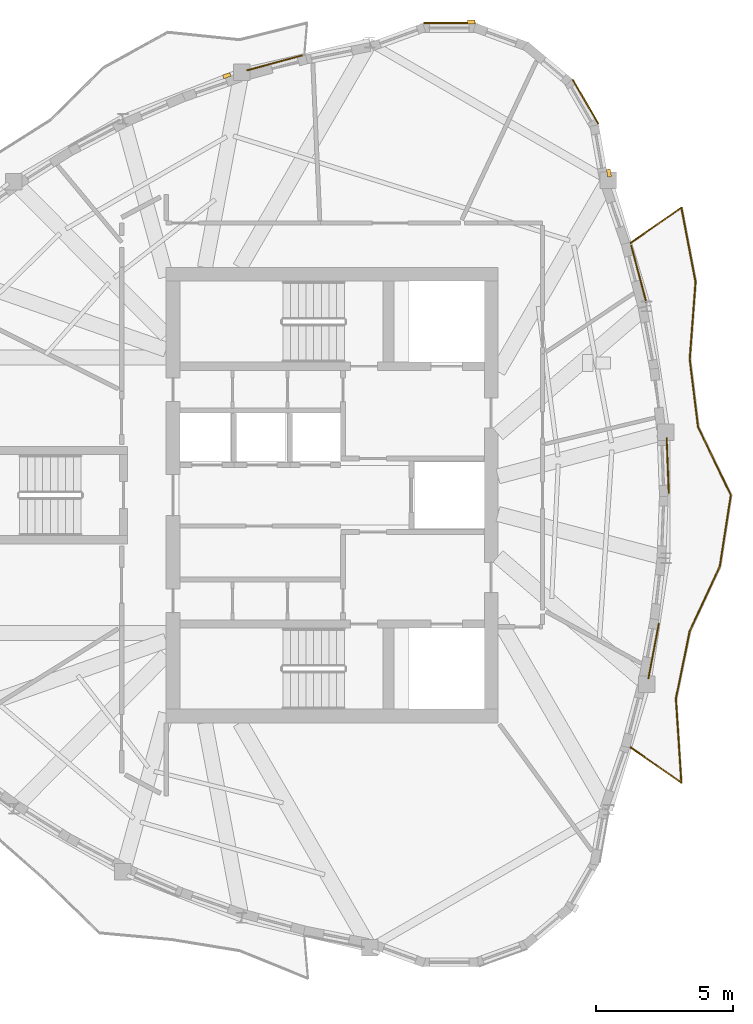
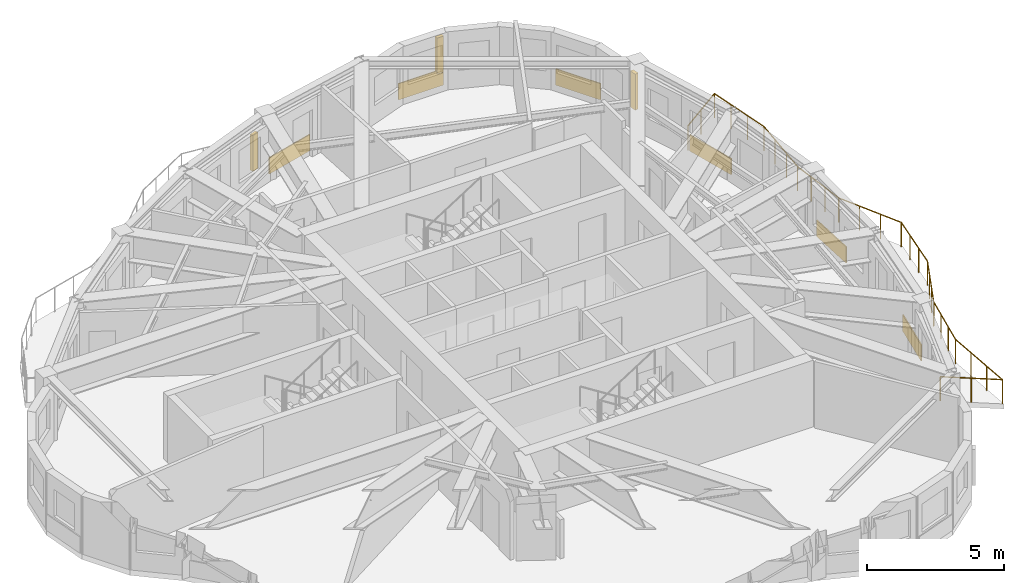
# One storey, part 10 of 11: 6 coverings, 3 shading devices, 1 railing.
"""IFC4 building model written with IfcOpenShell, lengths in metres."""

from ifc_helpers import new_model, si_unit, direction, frame, origin, origin_2d, place, context, subcontext, project, spatial, rectangle, circle, extrude, source, transform, mapped, material, layer, layer_set, type_object, element, save


model = new_model("IFC4")

# Units and contexts
model_context = context("Model", 3, precision=1e-05, world=origin(), true_north=direction((0.0, 1.0)))
body_context = subcontext(model_context, "Body", "Model", "MODEL_VIEW")
ifc_project = project(units=[si_unit("LENGTHUNIT", "METRE"), si_unit("AREAUNIT", "SQUARE_METRE"), si_unit("VOLUMEUNIT", "CUBIC_METRE"), si_unit("PLANEANGLEUNIT", "RADIAN"), si_unit("MASSUNIT", "GRAM", prefix="KILO")], contexts=[model_context])

# Site, building, storey
site_placement = place(None, origin())
site = spatial("IfcSite", under=ifc_project, at=site_placement, CompositionType="ELEMENT")
building_placement = place(site_placement, origin())
building = spatial("IfcBuilding", under=site, at=building_placement, Name="Qafzar Sky-Pleat Residences", CompositionType="ELEMENT")
storey_placement = place(building_placement, frame((0.0, 0.0, 221.199951171875)))
storey = spatial("IfcBuildingStorey", under=building, at=storey_placement, Name="L66", CompositionType="ELEMENT", Elevation=221.199951171875)

# Shading devices
ifc_material_1 = material(Name="Honed Riyadh limestone solar fin", Category="masonry")
ifc_layer_1 = layer(ifc_material_1, 0.139892578125)
ifc_layer_set_1 = layer_set([ifc_layer_1], Name="Honed Riyadh limestone solar fin")
shading_device_type = type_object("IfcShadingDeviceType", Name="SHD-FIN-STONE", PredefinedType="SHUTTER", material=ifc_layer_set_1)
shared_shape_1 = source(origin(), body_context, "Body", "SweptSolid", [
    extrude(rectangle(XDim=0.139892578125, YDim=0.280029296875, at=origin_2d()), origin(), (0.0, 0.0, 1.0), 1.60009765625),
])
for number, where, z_axis, x_axis, name in (
    (1, (40.443603515625, 37.743408203125, 0.60009765625), (0.0, 0.0, 1.0), (0.984807537751, 0.173649398471, 0.0), "L66 Limestone Solar Fin 33"),
    (2, (35.429931640625, 43.251708984375, 0.60009765625), (0.0, 0.0, 1.0), (0.0, 1.0, 0.0), "L66 Limestone Solar Fin 37"),
    (3, (26.514404296875, 41.292236328125, 0.60009765625), (0.0, 0.0, 1.0), (-0.329539896902, 0.944141650575, 0.0), "L66 Limestone Solar Fin 41"),
):
    element("IfcShadingDevice", number, at=place(storey_placement, frame(where, z_axis=z_axis, x_axis=x_axis)), inside=storey, type_object=shading_device_type, Name=name, PredefinedType="SHUTTER", context=body_context, shape_type="MappedRepresentation", body=[
        mapped(shared_shape_1, transform((0.0, 0.0, 0.0), x_axis=(1.0, 0.0, 0.0), y_axis=(0.0, 1.0, 0.0), z_axis=(0.0, 0.0, 1.0), scale=1.0)),
    ])

# Coverings
ifc_material_2 = material(Name="Honed Riyadh Tuwaiq limestone cladding", Category="masonry")
ifc_layer_2 = layer(ifc_material_2, 0.044921875)
ifc_layer_set_2 = layer_set([ifc_layer_2], Name="Honed Riyadh Tuwaiq limestone cladding")
covering_type = type_object("IfcCoveringType", Name="COV-CLAD-STONE", PredefinedType="CLADDING", material=ifc_layer_set_2)
shared_shape_2 = source(origin(), body_context, "Body", "SweptSolid", [
    extrude(rectangle(XDim=1.88134765625, YDim=0.044921875, at=origin_2d()), origin(), (0.0, 0.0, 1.0), 0.719970703125),
])
covering_1_placement = place(storey_placement, frame((34.625, 43.208740234375, 0.02001953125), z_axis=(0.0, 0.0, 1.0), x_axis=(-1.0, 0.0, 0.0)))
element("IfcCovering", 4, at=covering_1_placement, inside=storey, type_object=covering_type, Name="L66 Riyadh Limestone Spandrel Cladding 37", PredefinedType="CLADDING", context=body_context, shape_type="MappedRepresentation", body=[
    mapped(shared_shape_2, transform((0.0, 0.0, 0.0), x_axis=(1.0, 0.0, 0.0), y_axis=(0.0, 1.0, 0.0), z_axis=(0.0, 0.0, 1.0), scale=1.0)),
])
shared_shape_3 = source(origin(), body_context, "Body", "SweptSolid", [
    extrude(rectangle(XDim=1.881103515625, YDim=0.044921875, at=origin_2d()), origin(), (0.0, 0.0, 1.0), 0.719970703125),
])
covering_2_placement = place(storey_placement, frame((39.5908203125, 40.341796875, 0.02001953125), z_axis=(0.0, 0.0, 1.0), x_axis=(-0.499993018474, 0.866029434533, 0.0)))
element("IfcCovering", 5, at=covering_2_placement, inside=storey, type_object=covering_type, Name="L66 Riyadh Limestone Spandrel Cladding 34", PredefinedType="CLADDING", context=body_context, shape_type="MappedRepresentation", body=[
    mapped(shared_shape_3, transform((0.0, 0.0, 0.0), x_axis=(1.0, 0.0, 0.0), y_axis=(0.0, 1.0, 0.0), z_axis=(0.0, 0.0, 1.0), scale=1.0)),
])

# Railing
ifc_material_3 = material(Name="Laminated glass and bronze steel balustrade", Category="steel")
railing_type = type_object("IfcRailingType", Name="RAIL-BAL-1100", PredefinedType="BALUSTRADE", material=ifc_material_3)
shared_shape_4 = source(origin(), body_context, "Body", "SweptSolid", [
    extrude(circle(Radius=0.02392578125, at=origin_2d()), frame((0.0, 0.0, 1.076171875), z_axis=(0.821176833511, -0.570673819361, 0.0), x_axis=(0.570673819361, 0.821176833511, 0.0)), (0.0, 0.0, 1.0), 2.270751953125),
    extrude(circle(Radius=0.02392578125, at=origin_2d()), frame((1.86474609375, -1.2958984375, 1.076171875), z_axis=(-0.064736959789, 0.997902362978, 0.0), x_axis=(-0.997902362978, -0.064736959789, 0.0)), (0.0, 0.0, 1.0), 3.073486328125),
    extrude(circle(Radius=0.02392578125, at=origin_2d()), frame((1.665771484375, 1.771240234375, 1.076171875), z_axis=(0.200506485062, 0.979692374905, 0.0), x_axis=(-0.979692374905, 0.200506485062, 0.0)), (0.0, 0.0, 1.0), 2.511962890625),
    extrude(circle(Radius=0.02392578125, at=origin_2d()), frame((2.16943359375, 4.232177734375, 1.076171875), z_axis=(0.422359311147, 0.90642849265, 0.0), x_axis=(-0.90642849265, 0.422359311147, 0.0)), (0.0, 0.0, 1.0), 2.59130859375),
    extrude(circle(Radius=0.02392578125, at=origin_2d()), frame((3.263916015625, 6.5810546875, 1.076171875), z_axis=(0.153323300739, 0.988176080185, 0.0), x_axis=(-0.988176080185, 0.153323300739, 0.0)), (0.0, 0.0, 1.0), 2.636962890625),
    extrude(circle(Radius=0.02392578125, at=origin_2d()), frame((3.668212890625, 9.186767578125, 1.076171875), z_axis=(-0.433863606742, 0.900978562866, 0.0), x_axis=(-0.900978562866, -0.433863606742, 0.0)), (0.0, 0.0, 1.0), 2.75341796875),
    extrude(circle(Radius=0.02392578125, at=origin_2d()), frame((2.4736328125, 11.66748046875, 1.076171875), z_axis=(-0.122045352575, 0.992524524591, 0.0), x_axis=(-0.992524524591, -0.122045352575, 0.0)), (0.0, 0.0, 1.0), 2.492431640625),
    extrude(circle(Radius=0.02392578125, at=origin_2d()), frame((2.16943359375, 14.141357421875, 1.076171875), z_axis=(0.075170135084, 0.997170722992, 0.0), x_axis=(-0.997170722992, 0.075170135084, 0.0)), (0.0, 0.0, 1.0), 2.82568359375),
    extrude(circle(Radius=0.02392578125, at=origin_2d()), frame((2.3818359375, 16.958984375, 1.076171875), z_axis=(-0.187396701496, 0.982284315394, 0.0), x_axis=(-0.982284315394, -0.187396701496, 0.0)), (0.0, 0.0, 1.0), 2.75927734375),
    extrude(circle(Radius=0.02392578125, at=origin_2d()), frame((1.86474609375, 19.66943359375, 1.076171875), z_axis=(-0.821176833511, -0.570673819361, 0.0), x_axis=(0.570673819361, -0.821176833511, 0.0)), (0.0, 0.0, 1.0), 2.270751953125),
    extrude(circle(Radius=0.02099609375, at=origin_2d()), origin(), (0.0, 0.0, 1.0), 1.052001953125),
    extrude(circle(Radius=0.02099609375, at=origin_2d()), frame((0.932373046875, -0.64794921875, 0.0)), (0.0, 0.0, 1.0), 1.052001953125),
    extrude(circle(Radius=0.02099609375, at=origin_2d()), frame((1.86474609375, -1.2958984375, 0.0)), (0.0, 0.0, 1.0), 1.052001953125),
    extrude(circle(Radius=0.02099609375, at=origin_2d()), frame((1.79833984375, -0.2734375, 0.0)), (0.0, 0.0, 1.0), 1.052001953125),
    extrude(circle(Radius=0.02099609375, at=origin_2d()), frame((1.732177734375, 0.748779296875, 0.0)), (0.0, 0.0, 1.0), 1.052001953125),
    extrude(circle(Radius=0.02099609375, at=origin_2d()), frame((1.665771484375, 1.771240234375, 0.0)), (0.0, 0.0, 1.0), 1.052001953125),
    extrude(circle(Radius=0.02099609375, at=origin_2d()), frame((1.833740234375, 2.591552734375, 0.0)), (0.0, 0.0, 1.0), 1.052001953125),
    extrude(circle(Radius=0.02099609375, at=origin_2d()), frame((2.00146484375, 3.411865234375, 0.0)), (0.0, 0.0, 1.0), 1.052001953125),
    extrude(circle(Radius=0.02099609375, at=origin_2d()), frame((2.16943359375, 4.232177734375, 0.0)), (0.0, 0.0, 1.0), 1.052001953125),
    extrude(circle(Radius=0.02099609375, at=origin_2d()), frame((2.5341796875, 5.01513671875, 0.0)), (0.0, 0.0, 1.0), 1.052001953125),
    extrude(circle(Radius=0.02099609375, at=origin_2d()), frame((2.899169921875, 5.798095703125, 0.0)), (0.0, 0.0, 1.0), 1.052001953125),
    extrude(circle(Radius=0.02099609375, at=origin_2d()), frame((3.263916015625, 6.5810546875, 0.0)), (0.0, 0.0, 1.0), 1.052001953125),
    extrude(circle(Radius=0.02099609375, at=origin_2d()), frame((3.398681640625, 7.44970703125, 0.0)), (0.0, 0.0, 1.0), 1.052001953125),
    extrude(circle(Radius=0.02099609375, at=origin_2d()), frame((3.533447265625, 8.318115234375, 0.0)), (0.0, 0.0, 1.0), 1.052001953125),
    extrude(circle(Radius=0.02099609375, at=origin_2d()), frame((3.668212890625, 9.186767578125, 0.0)), (0.0, 0.0, 1.0), 1.052001953125),
    extrude(circle(Radius=0.02099609375, at=origin_2d()), frame((3.27001953125, 10.013671875, 0.0)), (0.0, 0.0, 1.0), 1.052001953125),
    extrude(circle(Radius=0.02099609375, at=origin_2d()), frame((2.871826171875, 10.840576171875, 0.0)), (0.0, 0.0, 1.0), 1.052001953125),
    extrude(circle(Radius=0.02099609375, at=origin_2d()), frame((2.4736328125, 11.66748046875, 0.0)), (0.0, 0.0, 1.0), 1.052001953125),
    extrude(circle(Radius=0.02099609375, at=origin_2d()), frame((2.372314453125, 12.4921875, 0.0)), (0.0, 0.0, 1.0), 1.052001953125),
    extrude(circle(Radius=0.02099609375, at=origin_2d()), frame((2.270751953125, 13.316650390625, 0.0)), (0.0, 0.0, 1.0), 1.052001953125),
    extrude(circle(Radius=0.02099609375, at=origin_2d()), frame((2.16943359375, 14.141357421875, 0.0)), (0.0, 0.0, 1.0), 1.052001953125),
    extrude(circle(Radius=0.02099609375, at=origin_2d()), frame((2.240234375, 15.08056640625, 0.0)), (0.0, 0.0, 1.0), 1.052001953125),
    extrude(circle(Radius=0.02099609375, at=origin_2d()), frame((2.31103515625, 16.019775390625, 0.0)), (0.0, 0.0, 1.0), 1.052001953125),
    extrude(circle(Radius=0.02099609375, at=origin_2d()), frame((2.3818359375, 16.958984375, 0.0)), (0.0, 0.0, 1.0), 1.052001953125),
    extrude(circle(Radius=0.02099609375, at=origin_2d()), frame((2.20947265625, 17.862548828125, 0.0)), (0.0, 0.0, 1.0), 1.052001953125),
    extrude(circle(Radius=0.02099609375, at=origin_2d()), frame((2.037109375, 18.765869140625, 0.0)), (0.0, 0.0, 1.0), 1.052001953125),
    extrude(circle(Radius=0.02099609375, at=origin_2d()), frame((1.86474609375, 19.66943359375, 0.0)), (0.0, 0.0, 1.0), 1.052001953125),
    extrude(circle(Radius=0.02099609375, at=origin_2d()), frame((0.932373046875, 19.021484375, 0.0)), (0.0, 0.0, 1.0), 1.052001953125),
    extrude(circle(Radius=0.02099609375, at=origin_2d()), frame((0.0, 18.37353515625, 0.0)), (0.0, 0.0, 1.0), 1.052001953125),
])
railing_placement = place(storey_placement, frame((41.2197265625, 16.813232421875, 0.0)))
element("IfcRailing", 6, at=railing_placement, inside=storey, type_object=railing_type, Name="L66 Pleated Balcony 1 Balustrade", PredefinedType="BALUSTRADE", context=body_context, shape_type="MappedRepresentation", body=[
    mapped(shared_shape_4, transform((0.0, 0.0, 0.0), x_axis=(1.0, 0.0, 0.0), y_axis=(0.0, 1.0, 0.0), z_axis=(0.0, 0.0, 1.0), scale=1.0)),
])

# Coverings
shared_shape_5 = source(origin(), body_context, "Body", "SweptSolid", [
    extrude(rectangle(XDim=2.0556640625, YDim=0.044921875, at=origin_2d()), origin(), (0.0, 0.0, 1.0), 0.719970703125),
])
covering_3_placement = place(storey_placement, frame((42.072021484375, 20.3212890625, 0.02001953125), z_axis=(0.0, 0.0, 1.0), x_axis=(0.186685576999, 0.98241971445, 0.0)))
element("IfcCovering", 7, at=covering_3_placement, inside=storey, type_object=covering_type, Name="L66 Riyadh Limestone Spandrel Cladding 25", PredefinedType="CLADDING", context=body_context, shape_type="MappedRepresentation", body=[
    mapped(shared_shape_5, transform((0.0, 0.0, 0.0), x_axis=(1.0, 0.0, 0.0), y_axis=(0.0, 1.0, 0.0), z_axis=(0.0, 0.0, 1.0), scale=1.0)),
])
shared_shape_6 = source(origin(), body_context, "Body", "SweptSolid", [
    extrude(rectangle(XDim=2.020263671875, YDim=0.044921875, at=origin_2d()), origin(), (0.0, 0.0, 1.0), 0.719970703125),
])
covering_4_placement = place(storey_placement, frame((42.5859375, 27.08447265625, 0.02001953125), z_axis=(0.0, 0.0, 1.0), x_axis=(-0.038001954887, 0.999277664828, 0.0)))
element("IfcCovering", 8, at=covering_4_placement, inside=storey, type_object=covering_type, Name="L66 Riyadh Limestone Spandrel Cladding 28", PredefinedType="CLADDING", context=body_context, shape_type="MappedRepresentation", body=[
    mapped(shared_shape_6, transform((0.0, 0.0, 0.0), x_axis=(1.0, 0.0, 0.0), y_axis=(0.0, 1.0, 0.0), z_axis=(0.0, 0.0, 1.0), scale=1.0)),
])
shared_shape_7 = source(origin(), body_context, "Body", "SweptSolid", [
    extrude(rectangle(XDim=2.153564453125, YDim=0.044921875, at=origin_2d()), origin(), (0.0, 0.0, 1.0), 0.719970703125),
])
covering_5_placement = place(storey_placement, frame((41.52880859375, 34.066162109375, 0.02001953125), z_axis=(0.0, 0.0, 1.0), x_axis=(-0.257022703512, 0.966405365196, 0.0)))
element("IfcCovering", 9, at=covering_5_placement, inside=storey, type_object=covering_type, Name="L66 Riyadh Limestone Spandrel Cladding 31", PredefinedType="CLADDING", context=body_context, shape_type="MappedRepresentation", body=[
    mapped(shared_shape_7, transform((0.0, 0.0, 0.0), x_axis=(1.0, 0.0, 0.0), y_axis=(0.0, 1.0, 0.0), z_axis=(0.0, 0.0, 1.0), scale=1.0)),
])
shared_shape_8 = source(origin(), body_context, "Body", "SweptSolid", [
    extrude(rectangle(XDim=2.090576171875, YDim=0.044921875, at=origin_2d()), origin(), (0.0, 0.0, 1.0), 0.719970703125),
])
covering_6_placement = place(storey_placement, frame((28.2548828125, 41.758544921875, 0.02001953125), z_axis=(0.0, 0.0, 1.0), x_axis=(-0.965461793554, -0.260544670235, 0.0)))
element("IfcCovering", 10, at=covering_6_placement, inside=storey, type_object=covering_type, Name="L66 Riyadh Limestone Spandrel Cladding 40", PredefinedType="CLADDING", context=body_context, shape_type="MappedRepresentation", body=[
    mapped(shared_shape_8, transform((0.0, 0.0, 0.0), x_axis=(1.0, 0.0, 0.0), y_axis=(0.0, 1.0, 0.0), z_axis=(0.0, 0.0, 1.0), scale=1.0)),
])

save(model, "model.ifc")
